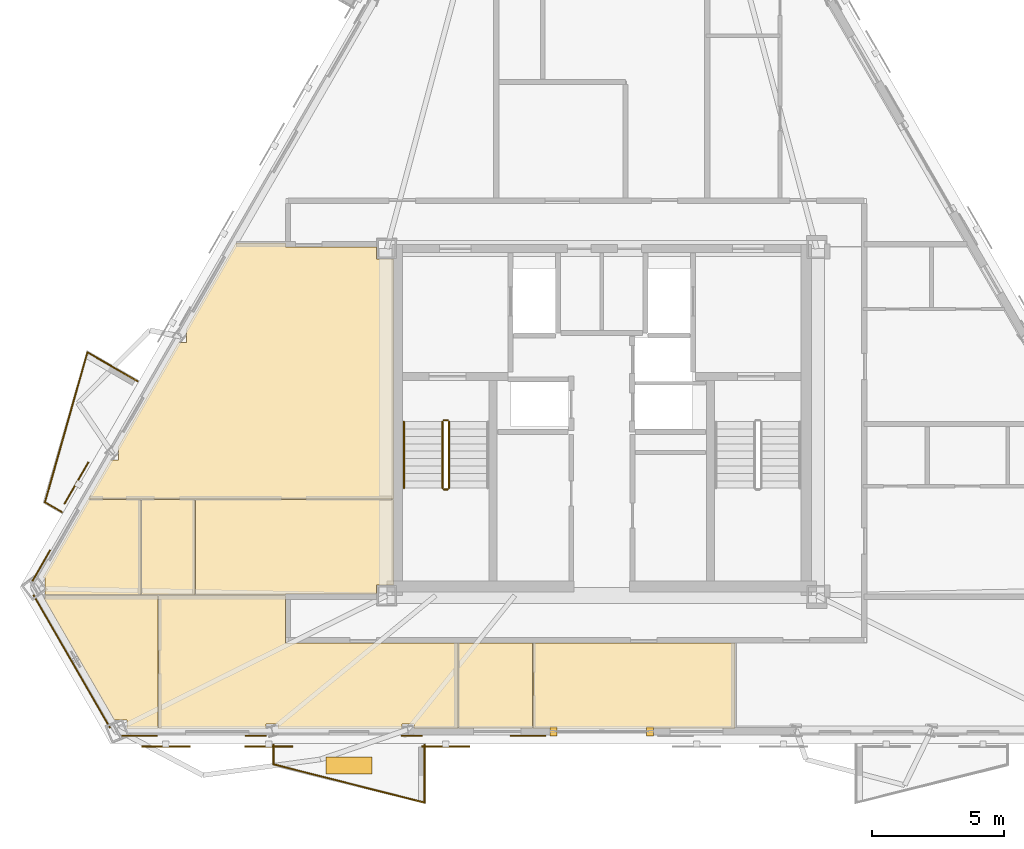
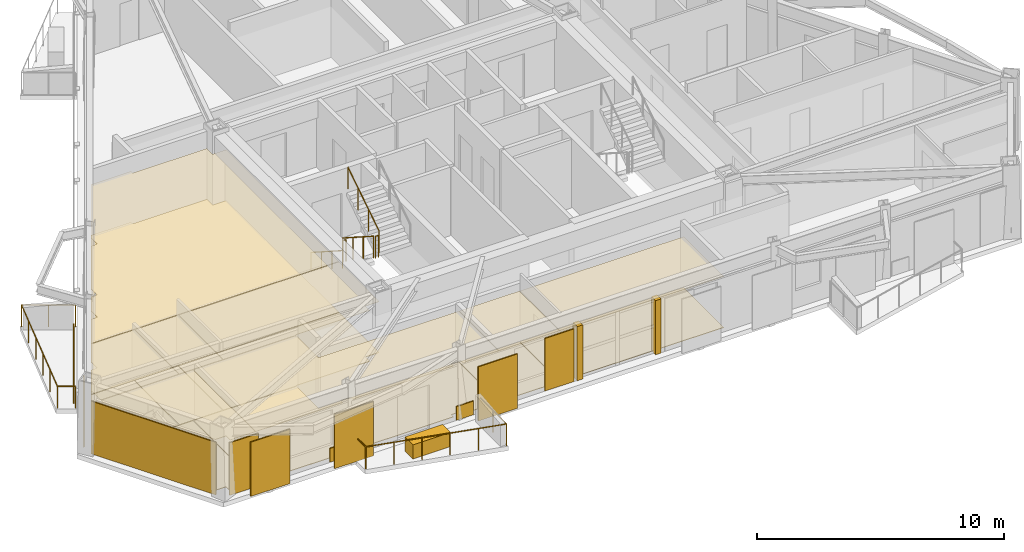
# One storey, part 10 of 12: 25 coverings, 11 railings, 4 shading devices.
"""IFC4 building model written with IfcOpenShell, lengths in metres."""

from ifc_helpers import new_model, si_unit, direction, frame, origin, origin_2d, place, context, subcontext, project, spatial, polyline, rectangle, circle, outline, extrude, material, layer, layer_set, type_object, element, save


model = new_model("IFC4")

# Units and contexts
model_context = context("Model", 3, precision=1e-05, world=origin(), true_north=direction((0.0, 1.0)))
body_context = subcontext(model_context, "Body", "Model", "MODEL_VIEW")
ifc_project = project(units=[si_unit("LENGTHUNIT", "METRE"), si_unit("AREAUNIT", "SQUARE_METRE"), si_unit("VOLUMEUNIT", "CUBIC_METRE"), si_unit("PLANEANGLEUNIT", "RADIAN"), si_unit("MASSUNIT", "GRAM", prefix="KILO")], contexts=[model_context])

# Site, building, storey
site_placement = place(None, origin())
site = spatial("IfcSite", under=ifc_project, at=site_placement, CompositionType="ELEMENT")
building_placement = place(site_placement, origin())
building = spatial("IfcBuilding", under=site, at=building_placement, Name="Oramaril Tower", CompositionType="ELEMENT")
storey_placement = place(building_placement, frame((0.0, 0.0, 227.10009765625)))
storey = spatial("IfcBuildingStorey", under=building, at=storey_placement, Name="L60", CompositionType="ELEMENT", Elevation=227.10009765625)

# Coverings
ifc_material_1 = material(Name="Mineral Fibre Acoustic Ceiling")
ifc_layer_1 = layer(ifc_material_1, 0.02001953125)
ifc_layer_set_1 = layer_set([ifc_layer_1], Name="CVT-CEIL")
covering_type_1 = type_object("IfcCoveringType", Name="CVT-CEIL", PredefinedType="CEILING", material=ifc_layer_set_1)
covering_1_placement = place(storey_placement, frame((0.0, 0.0, 2.511962890625)))
element("IfcCovering", 1, at=covering_1_placement, inside=storey, type_object=covering_type_1, Name="L60 Acoustic Suspended Ceiling 5", PredefinedType="CEILING", context=body_context, shape_type="SweptSolid", body=[
    extrude(outline(polyline([(32.0419921875, 5.957275390625), (30.37109375, 5.957275390625), (30.37109375, 6.133544921875), (29.92138671875, 6.133544921875), (29.92138671875, 5.957275390625), (25.227294921875, 5.957275390625), (25.227294921875, 6.133544921875), (24.77001953125, 6.133544921875), (24.77001953125, 5.957275390625), (20.6953125, 5.957275390625), (20.6953125, 10.991943359375), (25.5, 10.991943359375), (25.5, 9.219970703125), (25.5, 9.218017578125), (25.50048828125, 9.216064453125), (25.5009765625, 9.214111328125), (25.50146484375, 9.21240234375), (25.50244140625, 9.210693359375), (25.50341796875, 9.208984375), (25.50439453125, 9.207275390625), (25.505859375, 9.205810546875), (25.50732421875, 9.20458984375), (25.5087890625, 9.203369140625), (25.510498046875, 9.202392578125), (25.51220703125, 9.201416015625), (25.51416015625, 9.200927734375), (25.51611328125, 9.200439453125), (25.51806640625, 9.2001953125), (25.52001953125, 9.199951171875), (32.0419921875, 9.199951171875), (32.0419921875, 5.957275390625)])), origin(), (0.0, 0.0, 1.0), 0.02001953125),
])
covering_2_placement = place(storey_placement, frame((0.0, 0.0, 2.511962890625)))
element("IfcCovering", 2, at=covering_2_placement, inside=storey, type_object=covering_type_1, Name="L60 Acoustic Suspended Ceiling 6", PredefinedType="CEILING", context=body_context, shape_type="SweptSolid", body=[
    extrude(outline(polyline([(19.4990234375, 5.957275390625), (19.4990234375, 6.2841796875), (19.002685546875, 6.2841796875), (16.343505859375, 10.89013671875), (16.385986328125, 10.89013671875), (16.385986328125, 10.991943359375), (20.67529296875, 10.991943359375), (20.67529296875, 5.957275390625), (19.4990234375, 5.957275390625)])), origin(), (0.0, 0.0, 1.0), 0.02001953125),
])
covering_3_placement = place(storey_placement, frame((0.0, 0.0, 2.511962890625)))
element("IfcCovering", 3, at=covering_3_placement, inside=storey, type_object=covering_type_1, Name="L60 Acoustic Suspended Ceiling 7", PredefinedType="CEILING", context=body_context, shape_type="SweptSolid", body=[
    extrude(outline(polyline([(34.89794921875, 5.957275390625), (34.89794921875, 9.199951171875), (42.5419921875, 9.199951171875), (42.5419921875, 5.957275390625), (34.89794921875, 5.957275390625)])), origin(), (0.0, 0.0, 1.0), 0.02001953125),
])
covering_4_placement = place(storey_placement, frame((0.0, 0.0, 2.511962890625)))
element("IfcCovering", 4, at=covering_4_placement, inside=storey, type_object=covering_type_1, Name="L60 Acoustic Suspended Ceiling 8", PredefinedType="CEILING", context=body_context, shape_type="SweptSolid", body=[
    extrude(outline(polyline([(32.06201171875, 5.957275390625), (32.06201171875, 9.199951171875), (34.8779296875, 9.199951171875), (34.8779296875, 5.957275390625), (32.06201171875, 5.957275390625)])), origin(), (0.0, 0.0, 1.0), 0.02001953125),
])
covering_5_placement = place(storey_placement, frame((0.0, 0.0, 2.511962890625)))
element("IfcCovering", 5, at=covering_5_placement, inside=storey, type_object=covering_type_1, Name="L60 Acoustic Suspended Ceiling 12", PredefinedType="CEILING", context=body_context, shape_type="SweptSolid", body=[
    extrude(outline(polyline([(28.955078125, 23.7548828125), (29.60009765625, 23.7548828125), (29.60009765625, 14.651611328125), (18.023681640625, 14.651611328125), (18.8828125, 16.13916015625), (19.178955078125, 16.13916015625), (19.178955078125, 16.626220703125), (19.163818359375, 16.626220703125), (21.458251953125, 20.600341796875), (21.754638671875, 20.600341796875), (21.754638671875, 21.0810546875), (21.73583984375, 21.0810546875), (23.630126953125, 24.362060546875), (25.5, 24.362060546875), (25.5, 24.239990234375), (25.5, 24.238037109375), (25.50048828125, 24.236083984375), (25.5009765625, 24.234130859375), (25.50146484375, 24.232421875), (25.50244140625, 24.230712890625), (25.50341796875, 24.22900390625), (25.50439453125, 24.227294921875), (25.505859375, 24.225830078125), (25.50732421875, 24.224609375), (25.5087890625, 24.223388671875), (25.510498046875, 24.222412109375), (25.51220703125, 24.221435546875), (25.51416015625, 24.220947265625), (25.51611328125, 24.220458984375), (25.51806640625, 24.22021484375), (25.52001953125, 24.219970703125), (28.955078125, 24.219970703125), (28.955078125, 23.7548828125)])), origin(), (0.0, 0.0, 1.0), 0.02001953125),
])
covering_6_placement = place(storey_placement, frame((0.0, 0.0, 2.511962890625)))
element("IfcCovering", 6, at=covering_6_placement, inside=storey, type_object=covering_type_1, Name="L60 Acoustic Suspended Ceiling 13", PredefinedType="CEILING", context=body_context, shape_type="SweptSolid", body=[
    extrude(outline(polyline([(16.385986328125, 11.685546875), (16.311279296875, 11.685546875), (18.013916015625, 14.63427734375), (18.014404296875, 14.634033203125), (18.01611328125, 14.63330078125), (18.017822265625, 14.632568359375), (18.02001953125, 14.632080078125), (18.021728515625, 14.631591796875), (18.023681640625, 14.631591796875), (20.028564453125, 14.631591796875), (20.028564453125, 11.011962890625), (16.385986328125, 11.011962890625), (16.385986328125, 11.685546875)])), origin(), (0.0, 0.0, 1.0), 0.02001953125),
])
covering_7_placement = place(storey_placement, frame((0.0, 0.0, 2.511962890625)))
element("IfcCovering", 7, at=covering_7_placement, inside=storey, type_object=covering_type_1, Name="L60 Acoustic Suspended Ceiling 14", PredefinedType="CEILING", context=body_context, shape_type="SweptSolid", body=[
    extrude(outline(polyline([(22.078857421875, 11.011962890625), (20.6953125, 11.011962890625), (20.693359375, 11.011962890625), (20.69140625, 11.01171875), (20.689453125, 11.010986328125), (20.6875, 11.010498046875), (20.685791015625, 11.009521484375), (20.685302734375, 11.00927734375), (20.684814453125, 11.009521484375), (20.68310546875, 11.010498046875), (20.68115234375, 11.010986328125), (20.67919921875, 11.01171875), (20.67724609375, 11.011962890625), (20.67529296875, 11.011962890625), (20.048583984375, 11.011962890625), (20.048583984375, 14.631591796875), (22.078857421875, 14.631591796875), (22.078857421875, 11.011962890625)])), origin(), (0.0, 0.0, 1.0), 0.02001953125),
])
covering_8_placement = place(storey_placement, frame((0.0, 0.0, 2.511962890625)))
element("IfcCovering", 8, at=covering_8_placement, inside=storey, type_object=covering_type_1, Name="L60 Acoustic Suspended Ceiling 15", PredefinedType="CEILING", context=body_context, shape_type="SweptSolid", body=[
    extrude(outline(polyline([(29.60009765625, 11.39501953125), (28.955078125, 11.39501953125), (28.955078125, 11.050048828125), (25.52001953125, 11.050048828125), (25.51806640625, 11.0498046875), (25.51611328125, 11.049560546875), (25.51416015625, 11.049072265625), (25.51220703125, 11.048583984375), (25.510498046875, 11.047607421875), (25.5087890625, 11.046630859375), (25.50732421875, 11.04541015625), (25.505859375, 11.044189453125), (25.50439453125, 11.042724609375), (25.50341796875, 11.041015625), (25.50244140625, 11.039306640625), (25.50146484375, 11.03759765625), (25.5009765625, 11.035888671875), (25.50048828125, 11.033935546875), (25.5, 11.031982421875), (25.5, 11.030029296875), (25.5, 11.011962890625), (22.098876953125, 11.011962890625), (22.098876953125, 14.631591796875), (29.60009765625, 14.631591796875), (29.60009765625, 11.39501953125)])), origin(), (0.0, 0.0, 1.0), 0.02001953125),
])
ifc_material_2 = material(Name="Warm Cream Limestone", Category="masonry")
ifc_layer_2 = layer(ifc_material_2, 0.050048828125)
ifc_layer_set_2 = layer_set([ifc_layer_2], Name="CVT-CLD")
covering_type_2 = type_object("IfcCoveringType", Name="CVT-CLD", PredefinedType="CLADDING", material=ifc_layer_set_2)
covering_9_placement = place(storey_placement, frame((17.405517578125, 8.498291015625, 0.0400390625), z_axis=(0.0, 0.0, 1.0), x_axis=(0.500003022996, -0.86602365845, 0.0)))
element("IfcCovering", 9, at=covering_9_placement, inside=storey, type_object=covering_type_2, Name="L60 Warm Cream Limestone Cladding", PredefinedType="CLADDING", context=body_context, shape_type="SweptSolid", body=[
    extrude(rectangle(XDim=5.81201171875, YDim=0.050048828125, at=origin_2d()), origin(), (0.0, 0.0, 1.0), 2.596923828125),
])
for number, where, z_axis, x_axis, name in (
    (10, (35.669921875, 5.849365234375, 0.0), (0.0, 0.0, 1.0), (1.0, 0.0, 0.0), "L60 Curtain Wall Limestone Jamb Closure"),
    (11, (39.330078125, 5.849365234375, 0.0), (0.0, 0.0, 1.0), (1.0, 0.0, 0.0), "L60 Curtain Wall Limestone Jamb Closure"),
):
    element("IfcCovering", number, at=place(storey_placement, frame(where, z_axis=z_axis, x_axis=x_axis)), inside=storey, type_object=covering_type_2, Name=name, PredefinedType="CLADDING", context=body_context, shape_type="SweptSolid", body=[
        extrude(rectangle(XDim=0.260009765625, YDim=0.340087890625, at=origin_2d()), origin(), (0.0, 0.0, 1.0), 2.677001953125),
    ])
for number, where, z_axis, x_axis, name in (
    (12, (19.97900390625, 5.681396484375, 0.0400390625), (0.0, 0.0, 1.0), (1.0, 0.0, 0.0), "L60 Warm Cream Limestone Cladding"),
    (13, (34.699951171875, 5.681396484375, 0.0400390625), (0.0, 0.0, 1.0), (1.0, 0.0, 0.0), "L60 Warm Cream Limestone Cladding"),
):
    element("IfcCovering", number, at=place(storey_placement, frame(where, z_axis=z_axis, x_axis=x_axis)), inside=storey, type_object=covering_type_2, Name=name, PredefinedType="CLADDING", context=body_context, shape_type="SweptSolid", body=[
        extrude(rectangle(XDim=1.35009765625, YDim=0.050048828125, at=origin_2d()), origin(), (0.0, 0.0, 1.0), 2.596923828125),
    ])
for number, where, z_axis, x_axis, name in (
    (14, (24.3837890625, 5.681396484375, 0.0400390625), (0.0, 0.0, 1.0), (1.0, 0.0, 0.0), "L60 Warm Cream Limestone Spandrel Cladding"),
    (15, (30.29541015625, 5.681396484375, 0.0400390625), (0.0, 0.0, 1.0), (1.0, 0.0, 0.0), "L60 Warm Cream Limestone Spandrel Cladding"),
):
    element("IfcCovering", number, at=place(storey_placement, frame(where, z_axis=z_axis, x_axis=x_axis)), inside=storey, type_object=covering_type_2, Name=name, PredefinedType="CLADDING", context=body_context, shape_type="SweptSolid", body=[
        extrude(rectangle(XDim=0.800048828125, YDim=0.050048828125, at=origin_2d()), origin(), (0.0, 0.0, 1.0), 0.679931640625),
    ])
covering_10_placement = place(storey_placement, frame((16.252685546875, 12.1357421875, 0.0400390625), z_axis=(0.0, 0.0, 1.0), x_axis=(-0.4999984885, -0.866026276448, 0.0)))
element("IfcCovering", 16, at=covering_10_placement, inside=storey, type_object=covering_type_2, Name="L60 Warm Cream Limestone Cladding", PredefinedType="CLADDING", context=body_context, shape_type="SweptSolid", body=[
    extrude(rectangle(XDim=1.35009765625, YDim=0.050048828125, at=origin_2d()), origin(), (0.0, 0.0, 1.0), 2.596923828125),
])
covering_11_placement = place(storey_placement, frame((27.91357421875, 4.552734375, 0.0), z_axis=(0.0, 0.0, 1.0), x_axis=(1.0, 0.0, 0.0)))
element("IfcCovering", 17, at=covering_11_placement, inside=storey, type_object=covering_type_2, Name="L60 Structural Tree Planter Box L60-BAL-S1", PredefinedType="CLADDING", context=body_context, shape_type="SweptSolid", body=[
    extrude(rectangle(XDim=1.75, YDim=0.64990234375, at=origin_2d()), origin(), (0.0, 0.0, 1.0), 0.699951171875),
])
ifc_material_3 = material(Name="Honed Quartzite Stone Flooring", Category="masonry")
ifc_layer_3 = layer(ifc_material_3, 0.02490234375)
ifc_layer_set_3 = layer_set([ifc_layer_3], Name="CVT-FLR")
covering_type_3 = type_object("IfcCoveringType", Name="CVT-FLR", PredefinedType="FLOORING", material=ifc_layer_set_3)
covering_12_placement = place(storey_placement, origin())
element("IfcCovering", 18, at=covering_12_placement, inside=storey, type_object=covering_type_3, Name="L60 Honed Stone Floor Finish 5", PredefinedType="FLOORING", context=body_context, shape_type="SweptSolid", body=[
    extrude(outline(polyline([(32.0419921875, 5.957275390625), (30.37109375, 5.957275390625), (30.37109375, 6.133544921875), (29.92138671875, 6.133544921875), (29.92138671875, 5.957275390625), (25.227294921875, 5.957275390625), (25.227294921875, 6.133544921875), (24.77001953125, 6.133544921875), (24.77001953125, 5.957275390625), (20.6953125, 5.957275390625), (20.6953125, 10.991943359375), (25.5, 10.991943359375), (25.5, 9.219970703125), (25.5, 9.218017578125), (25.50048828125, 9.216064453125), (25.5009765625, 9.214111328125), (25.50146484375, 9.21240234375), (25.50244140625, 9.210693359375), (25.50341796875, 9.208984375), (25.50439453125, 9.207275390625), (25.505859375, 9.205810546875), (25.50732421875, 9.20458984375), (25.5087890625, 9.203369140625), (25.510498046875, 9.202392578125), (25.51220703125, 9.201416015625), (25.51416015625, 9.200927734375), (25.51611328125, 9.200439453125), (25.51806640625, 9.2001953125), (25.52001953125, 9.199951171875), (32.0419921875, 9.199951171875), (32.0419921875, 5.957275390625)])), origin(), (0.0, 0.0, 1.0), 0.02490234375),
])
covering_13_placement = place(storey_placement, origin())
element("IfcCovering", 19, at=covering_13_placement, inside=storey, type_object=covering_type_3, Name="L60 Honed Stone Floor Finish 6", PredefinedType="FLOORING", context=body_context, shape_type="SweptSolid", body=[
    extrude(outline(polyline([(19.4990234375, 5.957275390625), (19.4990234375, 6.2841796875), (19.002685546875, 6.2841796875), (16.343505859375, 10.89013671875), (16.385986328125, 10.89013671875), (16.385986328125, 10.991943359375), (20.67529296875, 10.991943359375), (20.67529296875, 5.957275390625), (19.4990234375, 5.957275390625)])), origin(), (0.0, 0.0, 1.0), 0.02490234375),
])
covering_14_placement = place(storey_placement, origin())
element("IfcCovering", 20, at=covering_14_placement, inside=storey, type_object=covering_type_3, Name="L60 Honed Stone Floor Finish 7", PredefinedType="FLOORING", context=body_context, shape_type="SweptSolid", body=[
    extrude(outline(polyline([(34.89794921875, 5.957275390625), (34.89794921875, 9.199951171875), (42.5419921875, 9.199951171875), (42.5419921875, 5.957275390625), (34.89794921875, 5.957275390625)])), origin(), (0.0, 0.0, 1.0), 0.02490234375),
])
covering_15_placement = place(storey_placement, origin())
element("IfcCovering", 21, at=covering_15_placement, inside=storey, type_object=covering_type_3, Name="L60 Honed Stone Floor Finish 8", PredefinedType="FLOORING", context=body_context, shape_type="SweptSolid", body=[
    extrude(outline(polyline([(32.06201171875, 5.957275390625), (32.06201171875, 9.199951171875), (34.8779296875, 9.199951171875), (34.8779296875, 5.957275390625), (32.06201171875, 5.957275390625)])), origin(), (0.0, 0.0, 1.0), 0.02490234375),
])
covering_16_placement = place(storey_placement, origin())
element("IfcCovering", 22, at=covering_16_placement, inside=storey, type_object=covering_type_3, Name="L60 Honed Stone Floor Finish 12", PredefinedType="FLOORING", context=body_context, shape_type="SweptSolid", body=[
    extrude(outline(polyline([(28.955078125, 23.7548828125), (29.60009765625, 23.7548828125), (29.60009765625, 14.651611328125), (18.023681640625, 14.651611328125), (18.8828125, 16.13916015625), (19.178955078125, 16.13916015625), (19.178955078125, 16.626220703125), (19.163818359375, 16.626220703125), (21.458251953125, 20.600341796875), (21.754638671875, 20.600341796875), (21.754638671875, 21.0810546875), (21.73583984375, 21.0810546875), (23.630126953125, 24.362060546875), (25.5, 24.362060546875), (25.5, 24.239990234375), (25.5, 24.238037109375), (25.50048828125, 24.236083984375), (25.5009765625, 24.234130859375), (25.50146484375, 24.232421875), (25.50244140625, 24.230712890625), (25.50341796875, 24.22900390625), (25.50439453125, 24.227294921875), (25.505859375, 24.225830078125), (25.50732421875, 24.224609375), (25.5087890625, 24.223388671875), (25.510498046875, 24.222412109375), (25.51220703125, 24.221435546875), (25.51416015625, 24.220947265625), (25.51611328125, 24.220458984375), (25.51806640625, 24.22021484375), (25.52001953125, 24.219970703125), (28.955078125, 24.219970703125), (28.955078125, 23.7548828125)])), origin(), (0.0, 0.0, 1.0), 0.02490234375),
])
covering_17_placement = place(storey_placement, origin())
element("IfcCovering", 23, at=covering_17_placement, inside=storey, type_object=covering_type_3, Name="L60 Honed Stone Floor Finish 13", PredefinedType="FLOORING", context=body_context, shape_type="SweptSolid", body=[
    extrude(outline(polyline([(16.385986328125, 11.685546875), (16.311279296875, 11.685546875), (18.013916015625, 14.63427734375), (18.014404296875, 14.634033203125), (18.01611328125, 14.63330078125), (18.017822265625, 14.632568359375), (18.02001953125, 14.632080078125), (18.021728515625, 14.631591796875), (18.023681640625, 14.631591796875), (20.028564453125, 14.631591796875), (20.028564453125, 11.011962890625), (16.385986328125, 11.011962890625), (16.385986328125, 11.685546875)])), origin(), (0.0, 0.0, 1.0), 0.02490234375),
])
covering_18_placement = place(storey_placement, origin())
element("IfcCovering", 24, at=covering_18_placement, inside=storey, type_object=covering_type_3, Name="L60 Honed Stone Floor Finish 14", PredefinedType="FLOORING", context=body_context, shape_type="SweptSolid", body=[
    extrude(outline(polyline([(22.078857421875, 11.011962890625), (20.6953125, 11.011962890625), (20.693359375, 11.011962890625), (20.69140625, 11.01171875), (20.689453125, 11.010986328125), (20.6875, 11.010498046875), (20.685791015625, 11.009521484375), (20.685302734375, 11.00927734375), (20.684814453125, 11.009521484375), (20.68310546875, 11.010498046875), (20.68115234375, 11.010986328125), (20.67919921875, 11.01171875), (20.67724609375, 11.011962890625), (20.67529296875, 11.011962890625), (20.048583984375, 11.011962890625), (20.048583984375, 14.631591796875), (22.078857421875, 14.631591796875), (22.078857421875, 11.011962890625)])), origin(), (0.0, 0.0, 1.0), 0.02490234375),
])
covering_19_placement = place(storey_placement, origin())
element("IfcCovering", 25, at=covering_19_placement, inside=storey, type_object=covering_type_3, Name="L60 Honed Stone Floor Finish 15", PredefinedType="FLOORING", context=body_context, shape_type="SweptSolid", body=[
    extrude(outline(polyline([(29.60009765625, 11.39501953125), (28.955078125, 11.39501953125), (28.955078125, 11.050048828125), (25.52001953125, 11.050048828125), (25.51806640625, 11.0498046875), (25.51611328125, 11.049560546875), (25.51416015625, 11.049072265625), (25.51220703125, 11.048583984375), (25.510498046875, 11.047607421875), (25.5087890625, 11.046630859375), (25.50732421875, 11.04541015625), (25.505859375, 11.044189453125), (25.50439453125, 11.042724609375), (25.50341796875, 11.041015625), (25.50244140625, 11.039306640625), (25.50146484375, 11.03759765625), (25.5009765625, 11.035888671875), (25.50048828125, 11.033935546875), (25.5, 11.031982421875), (25.5, 11.030029296875), (25.5, 11.011962890625), (22.098876953125, 11.011962890625), (22.098876953125, 14.631591796875), (29.60009765625, 14.631591796875), (29.60009765625, 11.39501953125)])), origin(), (0.0, 0.0, 1.0), 0.02490234375),
])

# Railings
ifc_material_4 = material(Name="Stainless Steel 316L", Category="steel")
railing_type_1 = type_object("IfcRailingType", Name="RLT-GRD", PredefinedType="GUARDRAIL", material=ifc_material_4)
railing_1_placement = place(storey_placement, frame((30.778564453125, 5.34130859375, 0.0)))
element("IfcRailing", 26, at=railing_1_placement, inside=storey, type_object=railing_type_1, Name="L60 Balcony Guardrail L60-BAL-S1.1", PredefinedType="GUARDRAIL", context=body_context, shape_type="SweptSolid", body=[
    extrude(circle(Radius=0.02392578125, at=origin_2d()), frame((0.0, 0.0, 1.076171875), z_axis=(0.0, -1.0, 0.0), x_axis=(1.0, 0.0, 0.0)), (0.0, 0.0, 1.0), 2.19189453125),
    extrude(circle(Radius=0.02099609375, at=origin_2d()), origin(), (0.0, 0.0, 1.0), 1.052001953125),
    extrude(circle(Radius=0.02099609375, at=origin_2d()), frame((0.0, -1.095947265625, 0.0)), (0.0, 0.0, 1.0), 1.052001953125),
    extrude(circle(Radius=0.02099609375, at=origin_2d()), frame((0.0, -2.19189453125, 0.0)), (0.0, 0.0, 1.0), 1.052001953125),
])
railing_2_placement = place(storey_placement, frame((30.778564453125, 3.1494140625, 0.0)))
element("IfcRailing", 27, at=railing_2_placement, inside=storey, type_object=railing_type_1, Name="L60 Balcony Guardrail L60-BAL-S1.2", PredefinedType="GUARDRAIL", context=body_context, shape_type="SweptSolid", body=[
    extrude(circle(Radius=0.02392578125, at=origin_2d()), frame((0.0, 0.0, 1.076171875), z_axis=(-0.969443611257, 0.245314256807, 0.0), x_axis=(-0.245314256807, -0.969443611257, 0.0)), (0.0, 0.0, 1.0), 5.91064453125),
    extrude(circle(Radius=0.02099609375, at=origin_2d()), origin(), (0.0, 0.0, 1.0), 1.052001953125),
    extrude(circle(Radius=0.02099609375, at=origin_2d()), frame((-1.14599609375, 0.2900390625, 0.0)), (0.0, 0.0, 1.0), 1.052001953125),
    extrude(circle(Radius=0.02099609375, at=origin_2d()), frame((-2.2919921875, 0.580078125, 0.0)), (0.0, 0.0, 1.0), 1.052001953125),
    extrude(circle(Radius=0.02099609375, at=origin_2d()), frame((-3.43798828125, 0.869873046875, 0.0)), (0.0, 0.0, 1.0), 1.052001953125),
    extrude(circle(Radius=0.02099609375, at=origin_2d()), frame((-4.583984375, 1.159912109375, 0.0)), (0.0, 0.0, 1.0), 1.052001953125),
    extrude(circle(Radius=0.02099609375, at=origin_2d()), frame((-5.72998046875, 1.449951171875, 0.0)), (0.0, 0.0, 1.0), 1.052001953125),
])
railing_3_placement = place(storey_placement, frame((25.048583984375, 4.599365234375, 0.0)))
element("IfcRailing", 28, at=railing_3_placement, inside=storey, type_object=railing_type_1, Name="L60 Balcony Guardrail L60-BAL-S1.3", PredefinedType="GUARDRAIL", context=body_context, shape_type="SweptSolid", body=[
    extrude(circle(Radius=0.02392578125, at=origin_2d()), frame((0.0, 0.0, 1.076171875), z_axis=(0.0, 1.0, 0.0), x_axis=(-1.0, 0.0, 0.0)), (0.0, 0.0, 1.0), 0.741943359375),
    extrude(circle(Radius=0.02099609375, at=origin_2d()), origin(), (0.0, 0.0, 1.0), 1.052001953125),
    extrude(circle(Radius=0.02099609375, at=origin_2d()), frame((0.0, 0.741943359375, 0.0)), (0.0, 0.0, 1.0), 1.052001953125),
])
railing_4_placement = place(storey_placement, frame((17.0302734375, 14.162841796875, 0.0)))
element("IfcRailing", 29, at=railing_4_placement, inside=storey, type_object=railing_type_1, Name="L60 Balcony Guardrail L60-BAL-NW2.1", PredefinedType="GUARDRAIL", context=body_context, shape_type="SweptSolid", body=[
    extrude(circle(Radius=0.02392578125, at=origin_2d()), frame((0.0, 0.0, 1.076171875), z_axis=(-0.865966403178, 0.500102178127, 0.0), x_axis=(-0.500102178127, -0.865966403178, 0.0)), (0.0, 0.0, 1.0), 0.741943359375),
    extrude(circle(Radius=0.02099609375, at=origin_2d()), origin(), (0.0, 0.0, 1.0), 1.052001953125),
    extrude(circle(Radius=0.02099609375, at=origin_2d()), frame((-0.642578125, 0.37109375, 0.0)), (0.0, 0.0, 1.0), 1.052001953125),
])
railing_5_placement = place(storey_placement, frame((16.3876953125, 14.533935546875, 0.0)))
element("IfcRailing", 30, at=railing_5_placement, inside=storey, type_object=railing_type_1, Name="L60 Balcony Guardrail L60-BAL-NW2.2", PredefinedType="GUARDRAIL", context=body_context, shape_type="SweptSolid", body=[
    extrude(circle(Radius=0.02392578125, at=origin_2d()), frame((0.0, 0.0, 1.076171875), z_axis=(0.272287109361, 0.962216051662, 0.0), x_axis=(-0.962216051662, 0.272287109361, 0.0)), (0.0, 0.0, 1.0), 5.91064453125),
    extrude(circle(Radius=0.02099609375, at=origin_2d()), origin(), (0.0, 0.0, 1.0), 1.052001953125),
    extrude(circle(Radius=0.02099609375, at=origin_2d()), frame((0.32177734375, 1.137451171875, 0.0)), (0.0, 0.0, 1.0), 1.052001953125),
    extrude(circle(Radius=0.02099609375, at=origin_2d()), frame((0.643798828125, 2.27490234375, 0.0)), (0.0, 0.0, 1.0), 1.052001953125),
    extrude(circle(Radius=0.02099609375, at=origin_2d()), frame((0.965576171875, 3.412353515625, 0.0)), (0.0, 0.0, 1.0), 1.052001953125),
    extrude(circle(Radius=0.02099609375, at=origin_2d()), frame((1.28759765625, 4.5498046875, 0.0)), (0.0, 0.0, 1.0), 1.052001953125),
    extrude(circle(Radius=0.02099609375, at=origin_2d()), frame((1.609375, 5.687255859375, 0.0)), (0.0, 0.0, 1.0), 1.052001953125),
])
railing_6_placement = place(storey_placement, frame((17.9970703125, 20.22119140625, 0.0)))
element("IfcRailing", 31, at=railing_6_placement, inside=storey, type_object=railing_type_1, Name="L60 Balcony Guardrail L60-BAL-NW2.3", PredefinedType="GUARDRAIL", context=body_context, shape_type="SweptSolid", body=[
    extrude(circle(Radius=0.02392578125, at=origin_2d()), frame((0.0, 0.0, 1.076171875), z_axis=(0.865972267571, -0.50009202333, 0.0), x_axis=(0.50009202333, 0.865972267571, 0.0)), (0.0, 0.0, 1.0), 2.19189453125),
    extrude(circle(Radius=0.02099609375, at=origin_2d()), origin(), (0.0, 0.0, 1.0), 1.052001953125),
    extrude(circle(Radius=0.02099609375, at=origin_2d()), frame((0.94921875, -0.548095703125, 0.0)), (0.0, 0.0, 1.0), 1.052001953125),
    extrude(circle(Radius=0.02099609375, at=origin_2d()), frame((1.898193359375, -1.09619140625, 0.0)), (0.0, 0.0, 1.0), 1.052001953125),
])
railing_7_placement = place(storey_placement, frame((31.4599609375, 17.590087890625, 0.179931640625)))
element("IfcRailing", 32, at=railing_7_placement, inside=storey, type_object=railing_type_1, Name="L60 ST-1 stair guard 1", PredefinedType="GUARDRAIL", context=body_context, shape_type="SweptSolid", body=[
    extrude(circle(Radius=0.02392578125, at=origin_2d()), frame((0.0, 0.0, 1.076171875), z_axis=(0.0, -0.841199657755, 0.540724639528), x_axis=(1.0, 0.0, 0.0)), (0.0, 0.0, 1.0), 2.995849609375),
    extrude(circle(Radius=0.02099609375, at=origin_2d()), origin(), (0.0, 0.0, 1.0), 1.052001953125),
    extrude(circle(Radius=0.02099609375, at=origin_2d()), frame((0.0, -0.840087890625, 0.5400390625)), (0.0, 0.0, 1.0), 1.052001953125),
    extrude(circle(Radius=0.02099609375, at=origin_2d()), frame((0.0, -1.679931640625, 1.079833984375)), (0.0, 0.0, 1.0), 1.052001953125),
    extrude(circle(Radius=0.02099609375, at=origin_2d()), frame((0.0, -2.52001953125, 1.619873046875)), (0.0, 0.0, 1.0), 1.052001953125),
])
railing_8_placement = place(storey_placement, frame((31.510009765625, 15.02001953125, 1.7998046875)))
element("IfcRailing", 33, at=railing_8_placement, inside=storey, type_object=railing_type_1, Name="L60 ST-1 stair guard 2", PredefinedType="GUARDRAIL", context=body_context, shape_type="SweptSolid", body=[
    extrude(circle(Radius=0.02392578125, at=origin_2d()), frame((0.0, 0.0, 1.076171875), z_axis=(1.0, 0.0, 0.0), x_axis=(0.0, 1.0, 0.0)), (0.0, 0.0, 1.0), 0.14990234375),
    extrude(circle(Radius=0.02099609375, at=origin_2d()), origin(), (0.0, 0.0, 1.0), 1.052001953125),
    extrude(circle(Radius=0.02099609375, at=origin_2d()), frame((0.14990234375, 0.0, 0.0)), (0.0, 0.0, 1.0), 1.052001953125),
])
railing_9_placement = place(storey_placement, frame((31.7099609375, 15.070068359375, 1.97998046875)))
element("IfcRailing", 34, at=railing_9_placement, inside=storey, type_object=railing_type_1, Name="L60 ST-1 stair guard 3", PredefinedType="GUARDRAIL", context=body_context, shape_type="SweptSolid", body=[
    extrude(circle(Radius=0.02392578125, at=origin_2d()), frame((0.0, 0.0, 1.076171875), z_axis=(0.0, 0.841199657755, 0.540724639528), x_axis=(-1.0, 0.0, 0.0)), (0.0, 0.0, 1.0), 2.995849609375),
    extrude(circle(Radius=0.02099609375, at=origin_2d()), origin(), (0.0, 0.0, 1.0), 1.052001953125),
    extrude(circle(Radius=0.02099609375, at=origin_2d()), frame((0.0, 0.840087890625, 0.5400390625)), (0.0, 0.0, 1.0), 1.052001953125),
    extrude(circle(Radius=0.02099609375, at=origin_2d()), frame((0.0, 1.679931640625, 1.079833984375)), (0.0, 0.0, 1.0), 1.052001953125),
    extrude(circle(Radius=0.02099609375, at=origin_2d()), frame((0.0, 2.52001953125, 1.619873046875)), (0.0, 0.0, 1.0), 1.052001953125),
])
railing_10_placement = place(storey_placement, frame((31.510009765625, 17.639892578125, 0.0)))
element("IfcRailing", 35, at=railing_10_placement, inside=storey, type_object=railing_type_1, Name="L60 ST-1 stair guard 4", PredefinedType="GUARDRAIL", context=body_context, shape_type="SweptSolid", body=[
    extrude(circle(Radius=0.02392578125, at=origin_2d()), frame((0.0, 0.0, 1.076171875), z_axis=(1.0, 0.0, 0.0), x_axis=(0.0, 1.0, 0.0)), (0.0, 0.0, 1.0), 0.14990234375),
    extrude(circle(Radius=0.02099609375, at=origin_2d()), origin(), (0.0, 0.0, 1.0), 1.052001953125),
    extrude(circle(Radius=0.02099609375, at=origin_2d()), frame((0.14990234375, 0.0, 0.0)), (0.0, 0.0, 1.0), 1.052001953125),
])
ifc_material_5 = material(Name="Stainless Steel 316L", Category="steel")
railing_type_2 = type_object("IfcRailingType", Name="RLT-HND", PredefinedType="HANDRAIL", material=ifc_material_5)
railing_11_placement = place(storey_placement, frame((30.0, 17.590087890625, 0.179931640625)))
element("IfcRailing", 36, at=railing_11_placement, inside=storey, type_object=railing_type_2, Name="L60 ST-1 stair handrail 1", PredefinedType="HANDRAIL", context=body_context, shape_type="SweptSolid", body=[
    extrude(circle(Radius=0.02392578125, at=origin_2d()), frame((0.0, 0.0, 0.8759765625), z_axis=(0.0, -0.841199657755, 0.540724639528), x_axis=(1.0, 0.0, 0.0)), (0.0, 0.0, 1.0), 2.995849609375),
    extrude(circle(Radius=0.02099609375, at=origin_2d()), origin(), (0.0, 0.0, 1.0), 0.851806640625),
    extrude(circle(Radius=0.02099609375, at=origin_2d()), frame((0.0, -0.840087890625, 0.5400390625)), (0.0, 0.0, 1.0), 0.851806640625),
    extrude(circle(Radius=0.02099609375, at=origin_2d()), frame((0.0, -1.679931640625, 1.079833984375)), (0.0, 0.0, 1.0), 0.851806640625),
    extrude(circle(Radius=0.02099609375, at=origin_2d()), frame((0.0, -2.52001953125, 1.619873046875)), (0.0, 0.0, 1.0), 0.851806640625),
])

# Shading devices
for number, where, z_axis, x_axis, name in (
    (37, (20.972412109375, 5.269287109375, -0.02001953125), (0.0, 0.0, 1.0), (1.0, 0.0, 0.0), "L60 Perforated Ceramic Solar Screen"),
    (38, (24.872314453125, 5.269287109375, -0.02001953125), (0.0, 0.0, 1.0), (1.0, 0.0, 0.0), "L60 Perforated Ceramic Solar Screen"),
    (39, (31.5869140625, 5.269287109375, -0.02001953125), (0.0, 0.0, 1.0), (1.0, 0.0, 0.0), "L60 Perforated Ceramic Solar Screen"),
    (40, (17.58251953125, 15.262939453125, -0.02001953125), (0.0, 0.0, 1.0), (-0.4999984885, -0.866026276448, 0.0), "L60 Perforated Ceramic Solar Screen"),
):
    element("IfcShadingDevice", number, at=place(storey_placement, frame(where, z_axis=z_axis, x_axis=x_axis)), inside=storey, Name=name, ObjectType="SCREEN", PredefinedType="USERDEFINED", context=body_context, shape_type="SweptSolid", body=[
        extrude(rectangle(XDim=1.8330078125, YDim=0.050048828125, at=origin_2d()), origin(), (0.0, 0.0, 1.0), 2.677001953125),
    ])

save(model, "model.ifc")
